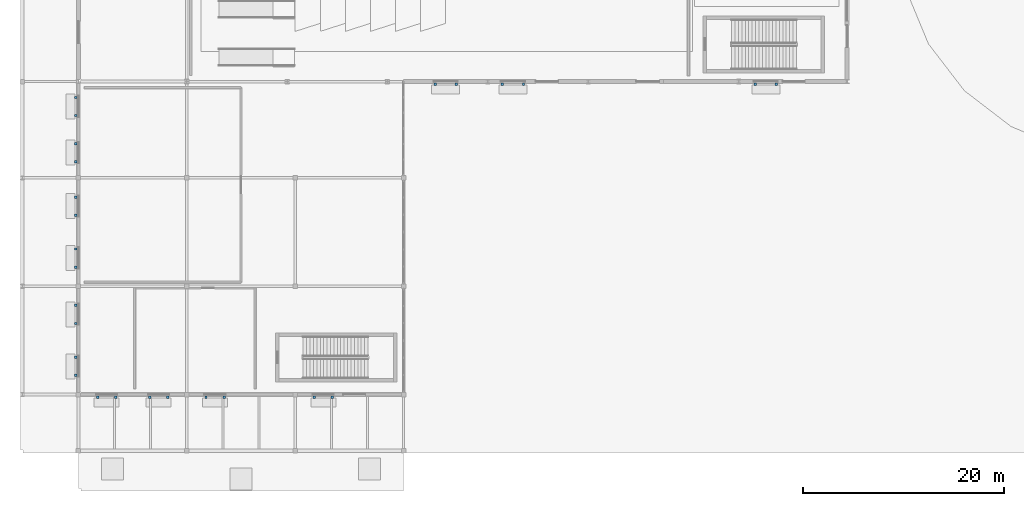
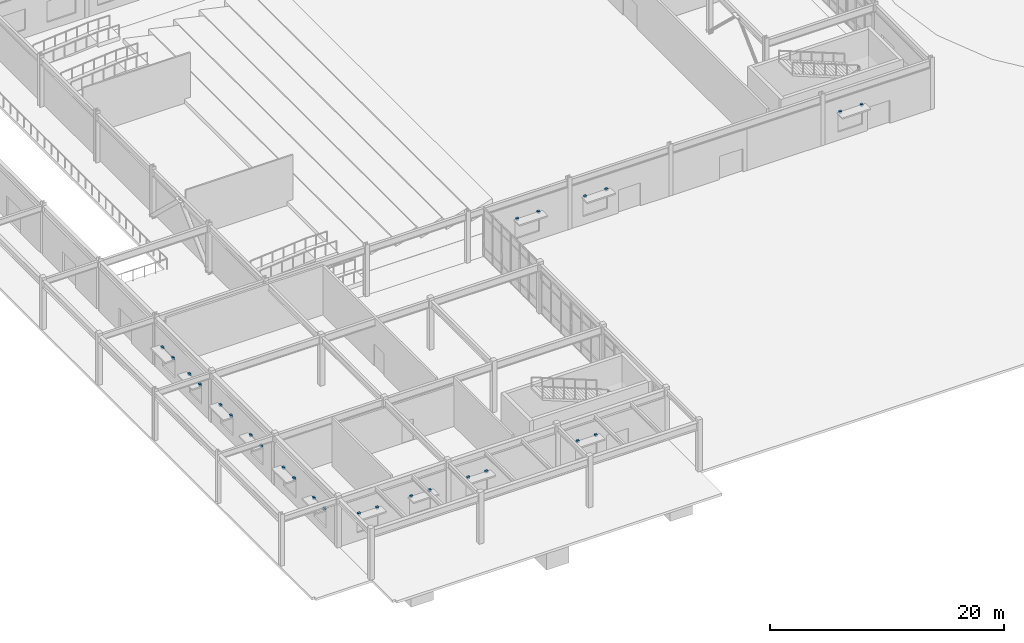
# One storey, part 39 of 54: 26 discrete accessories.
"""IFC4 building model written with IfcOpenShell, lengths in metres."""

import ifcopenshell
import ifcopenshell.guid

model = None  # the IFC model being written
_history = None  # IfcOwnerHistory: only IFC2X3 demands one
_inside = {}  # id of a spatial element -> (the spatial element, [elements in it])
_under = {}  # id of a project, library or spatial element -> (it, [spatial elements below it])
_declared = {}  # id of a project -> (the project, [libraries it declares])
_typed = {}  # id of a type object -> (the type object, [elements of that type])
_made_of = {}  # id of a material, layer set ... -> (it, [elements and type objects made of it])


def new_model(schema):
    """Start an empty IFC model of exactly this schema.

    Asked for "IFC4X3", IfcOpenShell would pick the latest addendum, in which some entities
    have other attributes; the version numbers below select the first issue.
    IFC2X3 requires an IfcOwnerHistory on every rooted entity: one is made here for all.
    """
    global model, _history
    if schema == "IFC4X3":
        model = ifcopenshell.file(schema_version=(4, 3, 0, 0))
    else:
        model = ifcopenshell.file(schema=schema)
    _inside.clear()
    _under.clear()
    _declared.clear()
    _typed.clear()
    _made_of.clear()
    _history = None
    if model.schema == "IFC2X3":
        org = make("IfcOrganization", Name="unknown")
        user = make(
            "IfcPersonAndOrganization",
            ThePerson=make("IfcPerson", FamilyName="unknown"),
            TheOrganization=org,
        )
        app = make(
            "IfcApplication",
            ApplicationDeveloper=org,
            Version="unknown",
            ApplicationFullName="unknown",
            ApplicationIdentifier="unknown",
        )
        _history = make(
            "IfcOwnerHistory",
            OwningUser=user,
            OwningApplication=app,
            ChangeAction="ADDED",
            CreationDate=0,
        )
    return model


def make(cls, **values):
    """One entity of the class cls with the attributes given. An attribute that is None is left unset."""
    return model.create_entity(
        cls, **{name: value for name, value in values.items() if value is not None}
    )


def rooted(cls, **values):
    """An entity with a GlobalId (a new one), such as an element, a storey or a relation."""
    return make(cls, GlobalId=ifcopenshell.guid.new(), OwnerHistory=_history, **values)


def si_unit(unit_type, name, prefix=None):
    """IfcSIUnit, for example si_unit("LENGTHUNIT", "METRE", prefix="MILLI")."""
    return make("IfcSIUnit", UnitType=unit_type, Prefix=prefix, Name=name)


def assignment(units):
    """IfcUnitAssignment: the units of a project."""
    return None if units is None else make("IfcUnitAssignment", Units=units)


def point(xyz):
    """IfcCartesianPoint."""
    return None if xyz is None else make("IfcCartesianPoint", Coordinates=xyz)


def direction(xyz):
    """IfcDirection."""
    return None if xyz is None else make("IfcDirection", DirectionRatios=xyz)


def frame(location, z_axis=None, x_axis=None):
    """IfcAxis2Placement3D, a coordinate frame: its origin and axes. An axis left out is left unset."""
    return make(
        "IfcAxis2Placement3D",
        Location=point(location),
        Axis=direction(z_axis),
        RefDirection=direction(x_axis),
    )


def frame_2d(location, x_axis=None):
    """IfcAxis2Placement2D, a coordinate frame in the plane: its origin and x axis."""
    return make(
        "IfcAxis2Placement2D", Location=point(location), RefDirection=direction(x_axis)
    )


def origin():
    """The frame at (0, 0, 0) with its axes left unset."""
    return frame((0.0, 0.0, 0.0))


def origin_2d():
    """The frame at (0, 0) in the plane with its x axis left unset."""
    return frame_2d((0.0, 0.0))


def place(relative_to, where):
    """IfcLocalPlacement: puts the frame where relative to a parent placement (None: the world)."""
    return make(
        "IfcLocalPlacement", PlacementRelTo=relative_to, RelativePlacement=where
    )


def context(
    kind, dimensions, precision=None, world=None, true_north=None, identifier=None
):
    """IfcGeometricRepresentationContext, for example the 3D "Model" context."""
    return make(
        "IfcGeometricRepresentationContext",
        ContextIdentifier=identifier,
        ContextType=kind,
        CoordinateSpaceDimension=dimensions,
        Precision=precision,
        WorldCoordinateSystem=world,
        TrueNorth=true_north,
    )


def subcontext(parent, identifier, kind, view, scale=None):
    """IfcGeometricRepresentationSubContext, for example "Body" below "Model"."""
    return make(
        "IfcGeometricRepresentationSubContext",
        ContextIdentifier=identifier,
        ContextType=kind,
        ParentContext=parent,
        TargetScale=scale,
        TargetView=view,
    )


def project(units=None, contexts=None):
    """IfcProject with its units and contexts."""
    return rooted(
        "IfcProject",
        Name="project",
        RepresentationContexts=contexts,
        UnitsInContext=assignment(units),
    )


def spatial(cls, under=None, at=None, **own):
    """A site, building, storey or space (cls), placed at a placement, below another one or the project."""
    s = rooted(cls, ObjectPlacement=at, **own)
    if under is not None:
        _under.setdefault(under.id(), (under, []))[1].append(s)
    return s


def profile(cls, at=None, kind="AREA", **sizes):
    """A parametric profile (cls). Its sizes go by their IFC names, for example OverallWidth=200.0."""
    return make(cls, ProfileType=kind, Position=at, **sizes)


def rectangle(**sizes):
    """IfcRectangleProfileDef."""
    return profile("IfcRectangleProfileDef", **sizes)


def extrude(swept, where, along, depth):
    """IfcExtrudedAreaSolid: the profile swept, set in the frame where, extruded along a direction by depth."""
    return make(
        "IfcExtrudedAreaSolid",
        SweptArea=swept,
        Position=where,
        ExtrudedDirection=direction(along),
        Depth=depth,
    )


def shape(context_of_items, identifier, shape_type, items):
    """IfcShapeRepresentation: the items that make up one representation, for example the "Body"."""
    return make(
        "IfcShapeRepresentation",
        ContextOfItems=context_of_items,
        RepresentationIdentifier=identifier,
        RepresentationType=shape_type,
        Items=items,
    )


def material(Name=None, Category=None):
    """IfcMaterial."""
    return make("IfcMaterial", Name=Name, Category=Category)


def made_of(thing, what):
    """Note that an element or type object is made of a material, layer set ...; save() writes the relation."""
    if what is not None:
        _made_of.setdefault(what.id(), (what, []))[1].append(thing)
    return thing


def type_object(cls, material=None, **own):
    """A type object (cls), such as IfcWallType, which elements share."""
    return made_of(rooted(cls, **own), material)


def element(
    cls,
    number,
    at=None,
    inside=None,
    cuts=None,
    type_object=None,
    material=None,
    context=None,
    identifier="Body",
    shape_type=None,
    held_by="IfcProductDefinitionShape",
    body=None,
    shapes=None,
    **own,
):
    """One element of the class cls, such as IfcWall. Its Tag is "e" and its number.

    at: its placement. inside: the storey or other place that contains it. cuts: it is an
    opening in that element (IfcRelVoidsElement). A single representation is given by context,
    identifier, shape_type and body (its items); several are given by shapes. held_by: the class
    of the entity that holds the representations. save() writes the other relations.
    """
    e = rooted(cls, Tag="e%d" % number, ObjectPlacement=at, **own)
    if body is not None:
        shapes = [shape(context, identifier, shape_type, body)]
    if shapes is not None:
        e.Representation = make(held_by, Representations=shapes)
    if inside is not None:
        _inside.setdefault(inside.id(), (inside, []))[1].append(e)
    if cuts is not None:
        rooted(
            "IfcRelVoidsElement", RelatingBuildingElement=cuts, RelatedOpeningElement=e
        )
    if type_object is not None:
        _typed.setdefault(type_object.id(), (type_object, []))[1].append(e)
    return made_of(e, material)


def aggregate(whole, parts):
    """IfcRelAggregates: a whole, such as a stair, and the parts it consists of."""
    return rooted("IfcRelAggregates", RelatingObject=whole, RelatedObjects=parts)


def save(model, path):
    """Write the relations noted so far, then the file.

    IfcRelAggregates (storeys below a building ...), IfcRelContainedInSpatialStructure (elements
    in a storey), IfcRelDefinesByType, IfcRelAssociatesMaterial and IfcRelDeclares: one each for
    every whole, place, type object, material and project.
    """
    for whole, parts in _under.values():
        aggregate(whole, parts)
    for where, things in _inside.values():
        rooted(
            "IfcRelContainedInSpatialStructure",
            RelatedElements=things,
            RelatingStructure=where,
        )
    for kind, things in _typed.values():
        rooted("IfcRelDefinesByType", RelatedObjects=things, RelatingType=kind)
    for what, things in _made_of.values():
        rooted("IfcRelAssociatesMaterial", RelatedObjects=things, RelatingMaterial=what)
    for by, libraries in _declared.values():
        rooted("IfcRelDeclares", RelatingContext=by, RelatedDefinitions=libraries)
    model.write(path)


model = new_model("IFC4")

# Units and contexts
model_context = context("Model", 3, precision=1e-05, world=origin(), true_north=direction((0.0, 1.0)))
body_context = subcontext(model_context, "Body", "Model", "MODEL_VIEW")
ifc_project = project(units=[si_unit("LENGTHUNIT", "METRE"), si_unit("AREAUNIT", "SQUARE_METRE"), si_unit("VOLUMEUNIT", "CUBIC_METRE"), si_unit("PLANEANGLEUNIT", "RADIAN"), si_unit("MASSUNIT", "GRAM", prefix="KILO")], contexts=[model_context])

# Site, building, storey
site_placement = place(None, origin())
site = spatial("IfcSite", under=ifc_project, at=site_placement, CompositionType="ELEMENT")
building_placement = place(site_placement, origin())
building = spatial("IfcBuilding", under=site, at=building_placement, Name="Veldera Park Congress Hotel", CompositionType="ELEMENT")
storey_placement = place(building_placement, origin())
storey = spatial("IfcBuildingStorey", under=building, at=storey_placement, Name="L00", CompositionType="ELEMENT", Elevation=0.0)

# Discrete accessories
ifc_material = material(Name="Steel ASTM A992 Gr.50", Category="steel")
discrete_accessory_type = type_object("IfcDiscreteAccessoryType", Name="ACC-BRK160", PredefinedType="BRACKET", material=ifc_material)
for number, where, z_axis, x_axis, name in (
    (1, (-42.65478515625, -21.27001953125, 2.8701171875), (0.0, 0.0, 1.0), (1.0, 0.0, 0.0), "Shading Steel Outrigger Bracket 3L"),
    (2, (-40.5546875, -21.27001953125, 2.8701171875), (0.0, 0.0, 1.0), (1.0, 0.0, 0.0), "Shading Steel Outrigger Bracket 3R"),
    (3, (-35.9453125, -21.27001953125, 2.8701171875), (0.0, 0.0, 1.0), (1.0, 0.0, 0.0), "Shading Steel Outrigger Bracket 4L"),
    (4, (-33.84521484375, -21.27001953125, 2.8701171875), (0.0, 0.0, 1.0), (1.0, 0.0, 0.0), "Shading Steel Outrigger Bracket 4R"),
    (5, (-10.7421875, -21.27001953125, 2.8701171875), (0.0, 0.0, 1.0), (1.0, 0.0, 0.0), "Shading Steel Outrigger Bracket 5L"),
    (6, (-8.64208984375, -21.27001953125, 2.8701171875), (0.0, 0.0, 1.0), (1.0, 0.0, 0.0), "Shading Steel Outrigger Bracket 5R"),
    (7, (-78.449951171875, -22.585693359375, 2.77001953125), (0.0, 0.0, 1.0), (0.0, -1.0, 0.0), "Shading Steel Outrigger Bracket 22L"),
    (8, (-78.449951171875, -24.385498046875, 2.77001953125), (0.0, 0.0, 1.0), (0.0, -1.0, 0.0), "Shading Steel Outrigger Bracket 22R"),
    (9, (-78.449951171875, -27.179931640625, 2.77001953125), (0.0, 0.0, 1.0), (0.0, -1.0, 0.0), "Shading Steel Outrigger Bracket 23L"),
    (10, (-78.449951171875, -28.97998046875, 2.77001953125), (0.0, 0.0, 1.0), (0.0, -1.0, 0.0), "Shading Steel Outrigger Bracket 23R"),
    (11, (-78.449951171875, -32.511474609375, 2.77001953125), (0.0, 0.0, 1.0), (0.0, -1.0, 0.0), "Shading Steel Outrigger Bracket 24L"),
    (12, (-78.449951171875, -34.3115234375, 2.77001953125), (0.0, 0.0, 1.0), (0.0, -1.0, 0.0), "Shading Steel Outrigger Bracket 24R"),
    (13, (-78.449951171875, -37.6884765625, 2.77001953125), (0.0, 0.0, 1.0), (0.0, -1.0, 0.0), "Shading Steel Outrigger Bracket 25L"),
    (14, (-78.449951171875, -39.488525390625, 2.77001953125), (0.0, 0.0, 1.0), (0.0, -1.0, 0.0), "Shading Steel Outrigger Bracket 25R"),
    (15, (-78.449951171875, -43.3115234375, 2.77001953125), (0.0, 0.0, 1.0), (0.0, -1.0, 0.0), "Shading Steel Outrigger Bracket 26L"),
    (16, (-78.449951171875, -45.111572265625, 2.77001953125), (0.0, 0.0, 1.0), (0.0, -1.0, 0.0), "Shading Steel Outrigger Bracket 26R"),
    (17, (-78.449951171875, -48.488525390625, 2.77001953125), (0.0, 0.0, 1.0), (0.0, -1.0, 0.0), "Shading Steel Outrigger Bracket 27L"),
    (18, (-78.449951171875, -50.28857421875, 2.77001953125), (0.0, 0.0, 1.0), (0.0, -1.0, 0.0), "Shading Steel Outrigger Bracket 27R"),
    (19, (-76.28857421875, -52.449951171875, 2.77001953125), (0.0, 0.0, 1.0), (1.0, 0.0, 0.0), "Shading Steel Outrigger Bracket 28L"),
    (20, (-74.488525390625, -52.449951171875, 2.77001953125), (0.0, 0.0, 1.0), (1.0, 0.0, 0.0), "Shading Steel Outrigger Bracket 28R"),
    (21, (-71.111572265625, -52.449951171875, 2.77001953125), (0.0, 0.0, 1.0), (1.0, 0.0, 0.0), "Shading Steel Outrigger Bracket 29L"),
    (22, (-69.3115234375, -52.449951171875, 2.77001953125), (0.0, 0.0, 1.0), (1.0, 0.0, 0.0), "Shading Steel Outrigger Bracket 29R"),
    (23, (-65.488525390625, -52.449951171875, 2.77001953125), (0.0, 0.0, 1.0), (1.0, 0.0, 0.0), "Shading Steel Outrigger Bracket 30L"),
    (24, (-63.6884765625, -52.449951171875, 2.77001953125), (0.0, 0.0, 1.0), (1.0, 0.0, 0.0), "Shading Steel Outrigger Bracket 30R"),
    (25, (-54.6884765625, -52.449951171875, 2.77001953125), (0.0, 0.0, 1.0), (1.0, 0.0, 0.0), "Shading Steel Outrigger Bracket 31L"),
    (26, (-52.888427734375, -52.449951171875, 2.77001953125), (0.0, 0.0, 1.0), (1.0, 0.0, 0.0), "Shading Steel Outrigger Bracket 31R"),
):
    element("IfcDiscreteAccessory", number, at=place(storey_placement, frame(where, z_axis=z_axis, x_axis=x_axis)), inside=storey, type_object=discrete_accessory_type, Name=name, PredefinedType="BRACKET", context=body_context, shape_type="SweptSolid", body=[
        extrude(rectangle(XDim=0.239990234375, YDim=0.239990234375, at=origin_2d()), origin(), (0.0, 0.0, 1.0), 0.219970703125),
    ])

save(model, "model.ifc")
